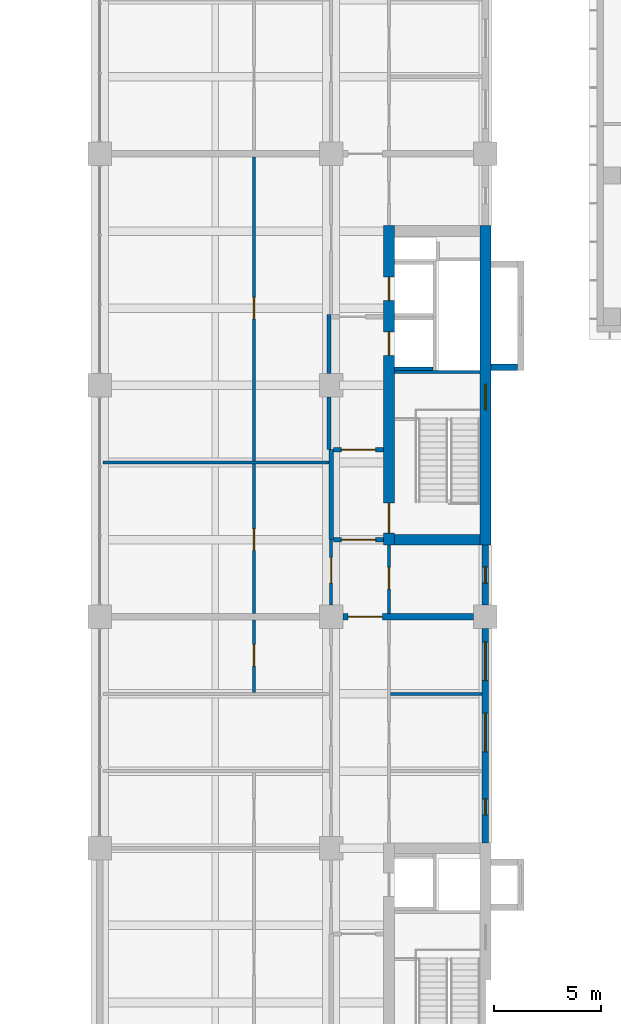
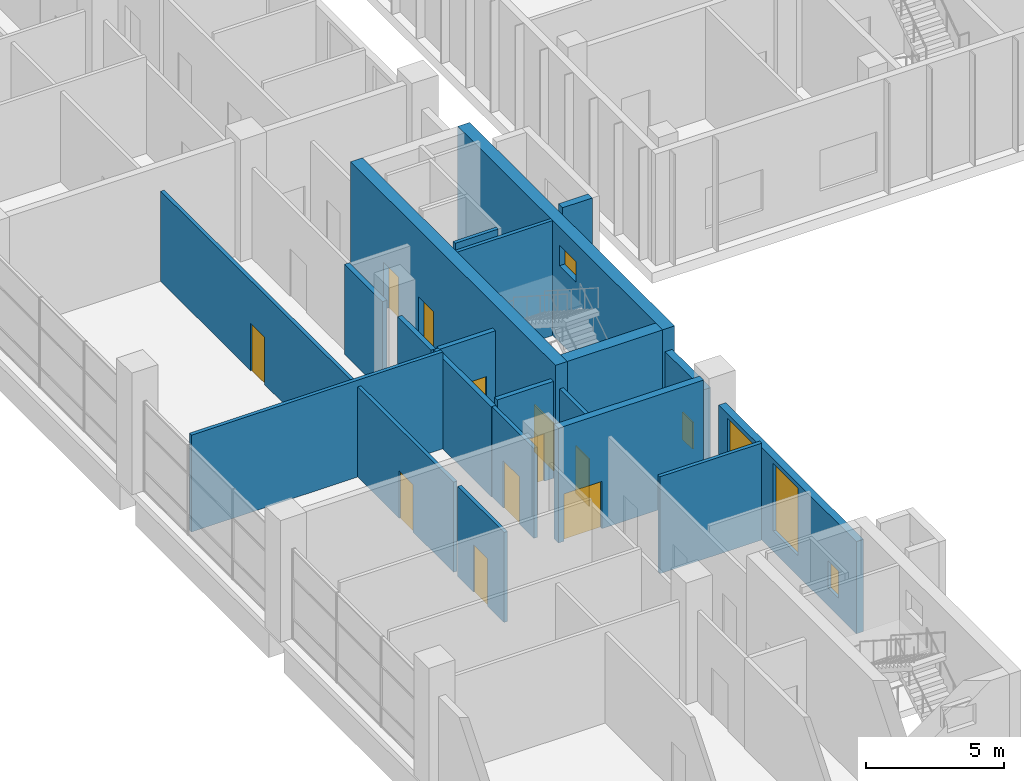
# One storey, part 21 of 32: 21 walls, 11 doors, 5 windows, 16 openings.
"""IFC4 building model written with IfcOpenShell, lengths in metres."""

from ifc_helpers import new_model, si_unit, direction, frame, frame_2d, origin, place, context, subcontext, project, spatial, rectangle, extrude, material, layer, layer_set, type_object, element, fill, save


model = new_model("IFC4")

# Units and contexts
model_context = context("Model", 3, precision=1e-05, world=origin(), true_north=direction((0.0, 1.0)))
body_context = subcontext(model_context, "Body", "Model", "MODEL_VIEW")
ifc_project = project(units=[si_unit("LENGTHUNIT", "METRE"), si_unit("AREAUNIT", "SQUARE_METRE"), si_unit("VOLUMEUNIT", "CUBIC_METRE"), si_unit("PLANEANGLEUNIT", "RADIAN"), si_unit("MASSUNIT", "GRAM", prefix="KILO")], contexts=[model_context])

# Site, building, storey
site_placement = place(None, origin())
site = spatial("IfcSite", under=ifc_project, at=site_placement, CompositionType="ELEMENT")
building_placement = place(site_placement, origin())
building = spatial("IfcBuilding", under=site, at=building_placement, Name="Basin Gate Institute", CompositionType="ELEMENT")
storey_placement = place(building_placement, frame((0.0, 0.0, 11.39990234375)))
storey = spatial("IfcBuildingStorey", under=building, at=storey_placement, Name="L02", CompositionType="ELEMENT", Elevation=11.39990234375)

# Wall, opening, door
ifc_material_1 = material(Name="Fire-rated masonry", Category="masonry")
ifc_layer_1 = layer(ifc_material_1, 0.199951171875)
ifc_layer_set_1 = layer_set([ifc_layer_1], Name="Enclosure wall PW2 200 EI 60")
wall_type_1 = type_object("IfcWallType", Name="Enclosure wall PW2 200 EI 60", PredefinedType="PARTITIONING", material=ifc_layer_set_1)
wall_1_placement = place(storey_placement, frame((114.050048828125, 60.300048828125, 0.0), z_axis=(0.0, 0.0, 1.0), x_axis=(-1.0, 0.0, 0.0)))
wall_1 = element("IfcWall", 1, at=wall_1_placement, inside=storey, type_object=wall_type_1, material=ifc_layer_set_1, Name="Smoke lobby enclosure wall PW2 L02", PredefinedType="PARTITIONING", context=body_context, shape_type="SweptSolid", body=[
    extrude(rectangle(XDim=2.35009765625, YDim=0.199951171875, at=frame_2d((1.175048828125, 0.0))), origin(), (0.0, 0.0, 1.0), 4.300048828125),
])
opening_1_placement = place(wall_1_placement, frame((0.375, 0.0, 0.0)))
opening_1 = element("IfcOpeningElement", 2, at=opening_1_placement, cuts=wall_1, Name="Opening DR119", PredefinedType="OPENING", context=body_context, shape_type="SweptSolid", body=[
    extrude(rectangle(XDim=1.60009765625, YDim=2.10009765625, at=frame_2d((0.800048828125, 1.050048828125))), frame((0.0, 0.10986328125, 0.0), z_axis=(0.0, -1.0, 0.0), x_axis=(1.0, 0.0, 0.0)), (0.0, 0.0, 1.0), 0.219970703125),
])
ifc_material_2 = material(Name="Steel fire door", Category="steel")
door_type_1 = type_object("IfcDoorType", Name="FD60 Smoke lobby door pair D8", OperationType="DOUBLE_DOOR_SINGLE_SWING", PredefinedType="DOOR", material=ifc_material_2)
door_1_placement = place(opening_1_placement, frame((1.60009765625, 0.0, 0.0), z_axis=(0.0, 0.0, 1.0), x_axis=(-1.0, 0.0, 0.0)))
door_1 = element("IfcDoor", 3, at=door_1_placement, inside=storey, type_object=door_type_1, material=ifc_material_2, Name="Smoke lobby door SS5 L02", OperationType="DOUBLE_DOOR_SINGLE_SWING", OverallHeight=2.10009765625, OverallWidth=1.60009765625, PredefinedType="DOOR", context=body_context, shape_type="SweptSolid", body=[
    extrude(rectangle(XDim=1.60009765625, YDim=2.10009765625, at=frame_2d((0.800048828125, 1.050048828125))), frame((0.0, 0.02490234375, 0.0), z_axis=(0.0, -1.0, 0.0), x_axis=(1.0, 0.0, 0.0)), (0.0, 0.0, 1.0), 0.050048828125),
])
fill(opening_1, door_1)

wall_2_placement = place(storey_placement, frame((114.050048828125, 64.5, 0.0), z_axis=(0.0, 0.0, 1.0), x_axis=(-1.0, 0.0, 0.0)))
wall_2 = element("IfcWall", 4, at=wall_2_placement, inside=storey, type_object=wall_type_1, material=ifc_layer_set_1, Name="Smoke lobby enclosure wall PW2 L02", PredefinedType="PARTITIONING", context=body_context, shape_type="SweptSolid", body=[
    extrude(rectangle(XDim=2.35009765625, YDim=0.199951171875, at=frame_2d((1.175048828125, 0.0))), origin(), (0.0, 0.0, 1.0), 4.0),
])
opening_2_placement = place(wall_2_placement, frame((0.375, 0.0, 0.0)))
opening_2 = element("IfcOpeningElement", 5, at=opening_2_placement, cuts=wall_2, Name="Opening DR120", PredefinedType="OPENING", context=body_context, shape_type="SweptSolid", body=[
    extrude(rectangle(XDim=1.60009765625, YDim=2.10009765625, at=frame_2d((0.800048828125, 1.050048828125))), frame((0.0, 0.10986328125, 0.0), z_axis=(0.0, -1.0, 0.0), x_axis=(1.0, 0.0, 0.0)), (0.0, 0.0, 1.0), 0.219970703125),
])
door_2_placement = place(opening_2_placement, origin())
door_2 = element("IfcDoor", 6, at=door_2_placement, inside=storey, type_object=door_type_1, material=ifc_material_2, Name="Smoke lobby door SS5 L02", OperationType="DOUBLE_DOOR_SINGLE_SWING", OverallHeight=2.10009765625, OverallWidth=1.60009765625, PredefinedType="DOOR", context=body_context, shape_type="SweptSolid", body=[
    extrude(rectangle(XDim=1.60009765625, YDim=2.10009765625, at=frame_2d((0.800048828125, 1.050048828125))), frame((0.0, 0.02490234375, 0.0), z_axis=(0.0, -1.0, 0.0), x_axis=(1.0, 0.0, 0.0)), (0.0, 0.0, 1.0), 0.050048828125),
])
fill(opening_2, door_2)

# Walls
wall_3_placement = place(storey_placement, frame((111.60009765625, 60.300048828125, 0.0), z_axis=(0.0, 0.0, 1.0), x_axis=(0.0, 1.0, 0.0)))
element("IfcWall", 7, at=wall_3_placement, inside=storey, type_object=wall_type_1, material=ifc_layer_set_1, Name="Smoke lobby enclosure wall PW2 L02", PredefinedType="PARTITIONING", context=body_context, shape_type="SweptSolid", body=[
    extrude(rectangle(XDim=4.199951171875, YDim=0.199951171875, at=frame_2d((2.10009765625, 0.0))), origin(), (0.0, 0.0, 1.0), 4.0),
])
wall_4_placement = place(storey_placement, frame((111.5, 64.5, 0.0), z_axis=(0.0, 0.0, 1.0), x_axis=(0.0, 1.0, 0.0)))
element("IfcWall", 8, at=wall_4_placement, inside=storey, type_object=wall_type_1, material=ifc_layer_set_1, Name="Emergency lift lobby wall PW2 L02", PredefinedType="PARTITIONING", context=body_context, shape_type="SweptSolid", body=[
    extrude(rectangle(XDim=2.449951171875, YDim=0.199951171875, at=frame_2d((1.22509765625, 0.0))), origin(), (0.0, 0.0, 1.0), 4.0),
])
wall_5_placement = place(storey_placement, frame((111.5, 68.050048828125, 0.0), z_axis=(0.0, 0.0, 1.0), x_axis=(0.0, 1.0, 0.0)))
element("IfcWall", 9, at=wall_5_placement, inside=storey, type_object=wall_type_1, material=ifc_layer_set_1, Name="Emergency lift lobby wall PW2 L02", PredefinedType="PARTITIONING", context=body_context, shape_type="SweptSolid", body=[
    extrude(rectangle(XDim=2.75, YDim=0.199951171875, at=frame_2d((1.375, 0.0))), origin(), (0.0, 0.0, 1.0), 4.0),
])

# Wall, openings, windows
ifc_material_3 = material(Name="Aluminium-faced insulated panel wall", Category="aluminium")
ifc_layer_2 = layer(ifc_material_3, 0.300048828125)
ifc_layer_set_2 = layer_set([ifc_layer_2], Name="External wall EW1 EI 120")
wall_type_2 = type_object("IfcWallType", Name="External wall EW1 EI 120", PredefinedType="STANDARD", material=ifc_layer_set_2)
wall_6_placement = place(storey_placement, frame((118.800048828125, 46.14990234375, 0.0), z_axis=(0.0, 0.0, 1.0), x_axis=(0.0, 1.0, 0.0)))
wall_6 = element("IfcWall", 10, at=wall_6_placement, inside=storey, type_object=wall_type_2, material=ifc_layer_set_2, Name="External wall E facade L02 1", PredefinedType="STANDARD", context=body_context, shape_type="SweptSolid", body=[
    extrude(rectangle(XDim=10.0, YDim=0.300048828125, at=frame_2d((5.0, 0.0))), origin(), (0.0, 0.0, 1.0), 4.10009765625),
])
opening_3_placement = place(wall_6_placement, frame((1.300048828125, 0.0, 0.800048828125)))
opening_3 = element("IfcOpeningElement", 11, at=opening_3_placement, cuts=wall_6, Name="Opening WN3", PredefinedType="OPENING", context=body_context, shape_type="SweptSolid", body=[
    extrude(rectangle(XDim=0.75, YDim=1.199951171875, at=frame_2d((0.375, 0.60009765625))), frame((0.0, 0.16015625, 0.0), z_axis=(0.0, -1.0, 0.0), x_axis=(1.0, 0.0, 0.0)), (0.0, 0.0, 1.0), 0.320068359375),
])
opening_4_placement = place(wall_6_placement, frame((4.25, 0.0, 0.89990234375)))
opening_4 = element("IfcOpeningElement", 12, at=opening_4_placement, cuts=wall_6, Name="Opening WN2", PredefinedType="OPENING", context=body_context, shape_type="SweptSolid", body=[
    extrude(rectangle(XDim=1.800048828125, YDim=3.0, at=frame_2d((0.89990234375, 1.5))), frame((0.0, 0.16015625, 0.0), z_axis=(0.0, -1.0, 0.0), x_axis=(1.0, 0.0, 0.0)), (0.0, 0.0, 1.0), 0.320068359375),
])
opening_5_placement = place(wall_6_placement, frame((7.574951171875, 0.0, 0.89990234375)))
opening_5 = element("IfcOpeningElement", 13, at=opening_5_placement, cuts=wall_6, Name="Opening WN2", PredefinedType="OPENING", context=body_context, shape_type="SweptSolid", body=[
    extrude(rectangle(XDim=1.800048828125, YDim=3.0, at=frame_2d((0.89990234375, 1.5))), frame((0.0, 0.16015625, 0.0), z_axis=(0.0, -1.0, 0.0), x_axis=(1.0, 0.0, 0.0)), (0.0, 0.0, 1.0), 0.320068359375),
])
ifc_material_4 = material(Name="Aluminium-framed double glazing", Category="aluminium")
window_type_1 = type_object("IfcWindowType", Name="Emergency entry panel WN3", PartitioningType="SINGLE_PANEL", PredefinedType="WINDOW", material=ifc_material_4)
window_1_placement = place(opening_3_placement, origin())
window_1 = element("IfcWindow", 14, at=window_1_placement, inside=storey, type_object=window_type_1, material=ifc_material_4, Name="Emergency entry panel E facade L02 bay 4", OverallHeight=1.199951171875, OverallWidth=0.75, PartitioningType="SINGLE_PANEL", PredefinedType="WINDOW", context=body_context, shape_type="SweptSolid", body=[
    extrude(rectangle(XDim=0.75, YDim=1.199951171875, at=frame_2d((0.375, 0.60009765625))), frame((0.0, 0.030029296875, 0.0), z_axis=(0.0, -1.0, 0.0), x_axis=(1.0, 0.0, 0.0)), (0.0, 0.0, 1.0), 0.06005859375),
])
fill(opening_3, window_1)
ifc_material_5 = material(Name="Aluminium-framed double glazing", Category="aluminium")
window_type_2 = type_object("IfcWindowType", Name="Podium window WN2", PartitioningType="SINGLE_PANEL", PredefinedType="WINDOW", material=ifc_material_5)
window_2_placement = place(opening_4_placement, origin())
window_2 = element("IfcWindow", 15, at=window_2_placement, inside=storey, type_object=window_type_2, material=ifc_material_5, Name="Podium window E facade L02 bay 5", OverallHeight=3.0, OverallWidth=1.800048828125, PartitioningType="SINGLE_PANEL", PredefinedType="WINDOW", context=body_context, shape_type="SweptSolid", body=[
    extrude(rectangle(XDim=1.800048828125, YDim=3.0, at=frame_2d((0.89990234375, 1.5))), frame((0.0, 0.030029296875, 0.0), z_axis=(0.0, -1.0, 0.0), x_axis=(1.0, 0.0, 0.0)), (0.0, 0.0, 1.0), 0.06005859375),
])
fill(opening_4, window_2)
window_3_placement = place(opening_5_placement, origin())
window_3 = element("IfcWindow", 16, at=window_3_placement, inside=storey, type_object=window_type_2, material=ifc_material_5, Name="Podium window E facade L02 bay 6", OverallHeight=3.0, OverallWidth=1.800048828125, PartitioningType="SINGLE_PANEL", PredefinedType="WINDOW", context=body_context, shape_type="SweptSolid", body=[
    extrude(rectangle(XDim=1.800048828125, YDim=3.0, at=frame_2d((0.89990234375, 1.5))), frame((0.0, 0.030029296875, 0.0), z_axis=(0.0, -1.0, 0.0), x_axis=(1.0, 0.0, 0.0)), (0.0, 0.0, 1.0), 0.06005859375),
])
fill(opening_5, window_3)

# Wall, opening, window
wall_7_placement = place(storey_placement, frame((118.800048828125, 57.25, 0.0), z_axis=(0.0, 0.0, 1.0), x_axis=(0.0, 1.0, 0.0)))
wall_7 = element("IfcWall", 17, at=wall_7_placement, inside=storey, type_object=wall_type_2, material=ifc_layer_set_2, Name="External wall E facade L02 2", PredefinedType="STANDARD", context=body_context, shape_type="SweptSolid", body=[
    extrude(rectangle(XDim=2.800048828125, YDim=0.300048828125, at=frame_2d((1.39990234375, 0.0))), origin(), (0.0, 0.0, 1.0), 4.10009765625),
])
opening_6_placement = place(wall_7_placement, frame((1.02490234375, 0.0, 0.800048828125)))
opening_6 = element("IfcOpeningElement", 18, at=opening_6_placement, cuts=wall_7, Name="Opening WN3", PredefinedType="OPENING", context=body_context, shape_type="SweptSolid", body=[
    extrude(rectangle(XDim=0.75, YDim=1.199951171875, at=frame_2d((0.375, 0.60009765625))), frame((0.0, 0.16015625, 0.0), z_axis=(0.0, -1.0, 0.0), x_axis=(1.0, 0.0, 0.0)), (0.0, 0.0, 1.0), 0.320068359375),
])
window_4_placement = place(opening_6_placement, origin())
window_4 = element("IfcWindow", 19, at=window_4_placement, inside=storey, type_object=window_type_1, material=ifc_material_4, Name="Emergency entry panel E facade L02 bay 7", OverallHeight=1.199951171875, OverallWidth=0.75, PartitioningType="SINGLE_PANEL", PredefinedType="WINDOW", context=body_context, shape_type="SweptSolid", body=[
    extrude(rectangle(XDim=0.75, YDim=1.199951171875, at=frame_2d((0.375, 0.60009765625))), frame((0.0, 0.030029296875, 0.0), z_axis=(0.0, -1.0, 0.0), x_axis=(1.0, 0.0, 0.0)), (0.0, 0.0, 1.0), 0.06005859375),
])
fill(opening_6, window_4)

# Wall, opening, door
ifc_material_6 = material(Name="Gypsum board on steel stud", Category="steel")
ifc_layer_3 = layer(ifc_material_6, 0.14990234375)
ifc_layer_set_3 = layer_set([ifc_layer_3], Name="Gypsum board on steel stud")
wall_type_3 = type_object("IfcWallType", Name="Partition PW1 150 EI 60", PredefinedType="PARTITIONING", material=ifc_layer_set_3)
wall_8_placement = place(storey_placement, frame((114.300048828125, 56.85009765625, 0.0), z_axis=(0.0, 0.0, 1.0), x_axis=(0.0, 1.0, 0.0)))
wall_8 = element("IfcWall", 20, at=wall_8_placement, inside=storey, type_object=wall_type_3, material=ifc_layer_set_3, Name="Corridor wall PW1 L02", PredefinedType="PARTITIONING", context=body_context, shape_type="SweptSolid", body=[
    extrude(rectangle(XDim=3.199951171875, YDim=0.14990234375, at=frame_2d((1.60009765625, 0.0))), origin(), (0.0, 0.0, 1.0), 4.0),
])
opening_7_placement = place(wall_8_placement, frame((1.14990234375, 0.0, 0.0)))
opening_7 = element("IfcOpeningElement", 21, at=opening_7_placement, cuts=wall_8, Name="Opening DR114", PredefinedType="OPENING", context=body_context, shape_type="SweptSolid", body=[
    extrude(rectangle(XDim=1.0, YDim=2.10009765625, at=frame_2d((0.5, 1.050048828125))), frame((0.0, 0.0849609375, 0.0), z_axis=(0.0, -1.0, 0.0), x_axis=(1.0, 0.0, 0.0)), (0.0, 0.0, 1.0), 0.169921875),
])
ifc_material_7 = material(Name="Timber fire door", Category="wood")
door_type_2 = type_object("IfcDoorType", Name="FD30 Office door D1", OperationType="NOTDEFINED", PredefinedType="DOOR", material=ifc_material_7)
door_3_placement = place(opening_7_placement, frame((1.0, 0.0, 0.0), z_axis=(0.0, 0.0, 1.0), x_axis=(-1.0, 0.0, 0.0)))
door_3 = element("IfcDoor", 22, at=door_3_placement, inside=storey, type_object=door_type_2, material=ifc_material_7, Name="Door to Write-up Office 0254 L02", OperationType="SINGLE_SWING_LEFT", OverallHeight=2.10009765625, OverallWidth=1.0, PredefinedType="DOOR", context=body_context, shape_type="SweptSolid", body=[
    extrude(rectangle(XDim=1.0, YDim=2.10009765625, at=frame_2d((0.5, 1.050048828125))), frame((0.0, 0.02490234375, 0.0), z_axis=(0.0, -1.0, 0.0), x_axis=(1.0, 0.0, 0.0)), (0.0, 0.0, 1.0), 0.050048828125),
])
fill(opening_7, door_3)

wall_9_placement = place(storey_placement, frame((111.60009765625, 57.25, 0.0), z_axis=(0.0, 0.0, 1.0), x_axis=(0.0, 1.0, 0.0)))
wall_9 = element("IfcWall", 23, at=wall_9_placement, inside=storey, type_object=wall_type_3, material=ifc_layer_set_3, Name="Laboratory corridor wall PW1 L02", PredefinedType="PARTITIONING", context=body_context, shape_type="SweptSolid", body=[
    extrude(rectangle(XDim=3.050048828125, YDim=0.14990234375, at=frame_2d((1.52490234375, 0.0))), origin(), (0.0, 0.0, 1.0), 4.0),
])
opening_8_placement = place(wall_9_placement, frame((1.02490234375, 0.0, 0.0)))
opening_8 = element("IfcOpeningElement", 24, at=opening_8_placement, cuts=wall_9, Name="Opening DR104", PredefinedType="OPENING", context=body_context, shape_type="SweptSolid", body=[
    extrude(rectangle(XDim=1.199951171875, YDim=2.10009765625, at=frame_2d((0.60009765625, 1.050048828125))), frame((0.0, 0.0849609375, 0.0), z_axis=(0.0, -1.0, 0.0), x_axis=(1.0, 0.0, 0.0)), (0.0, 0.0, 1.0), 0.169921875),
])
ifc_material_8 = material(Name="Timber fire door", Category="wood")
door_type_3 = type_object("IfcDoorType", Name="FD30 Laboratory door D2", OperationType="DOUBLE_DOOR_SINGLE_SWING", PredefinedType="DOOR", material=ifc_material_8)
door_4_placement = place(opening_8_placement, origin())
door_4 = element("IfcDoor", 25, at=door_4_placement, inside=storey, type_object=door_type_3, material=ifc_material_8, Name="Door to Gowning Airlock 0274 L02", OperationType="DOUBLE_DOOR_SINGLE_SWING", OverallHeight=2.10009765625, OverallWidth=1.199951171875, PredefinedType="DOOR", context=body_context, shape_type="SweptSolid", body=[
    extrude(rectangle(XDim=1.199951171875, YDim=2.10009765625, at=frame_2d((0.60009765625, 1.050048828125))), frame((0.0, 0.02490234375, 0.0), z_axis=(0.0, -1.0, 0.0), x_axis=(1.0, 0.0, 0.0)), (0.0, 0.0, 1.0), 0.050048828125),
])
fill(opening_8, door_4)

wall_10_placement = place(storey_placement, frame((108.0, 53.175048828125, 0.0), z_axis=(0.0, 0.0, 1.0), x_axis=(0.0, 1.0, 0.0)))
wall_10 = element("IfcWall", 26, at=wall_10_placement, inside=storey, type_object=wall_type_3, material=ifc_layer_set_3, Name="Clean room wall PW1 L02", PredefinedType="PARTITIONING", context=body_context, shape_type="SweptSolid", body=[
    extrude(rectangle(XDim=3.375, YDim=0.14990234375, at=frame_2d((1.6875, 0.0))), origin(), (0.0, 0.0, 1.0), 4.0),
])
opening_9_placement = place(wall_10_placement, frame((1.22509765625, 0.0, 0.0)))
opening_9 = element("IfcOpeningElement", 27, at=opening_9_placement, cuts=wall_10, Name="Opening DR093", PredefinedType="OPENING", context=body_context, shape_type="SweptSolid", body=[
    extrude(rectangle(XDim=1.0, YDim=2.10009765625, at=frame_2d((0.5, 1.050048828125))), frame((0.0, 0.0849609375, 0.0), z_axis=(0.0, -1.0, 0.0), x_axis=(1.0, 0.0, 0.0)), (0.0, 0.0, 1.0), 0.169921875),
])
ifc_material_9 = material(Name="Steel fire door", Category="steel")
door_type_4 = type_object("IfcDoorType", Name="FD30 Airlock door D5", OperationType="NOTDEFINED", PredefinedType="DOOR", material=ifc_material_9)
door_5_placement = place(opening_9_placement, origin())
door_5 = element("IfcDoor", 28, at=door_5_placement, inside=storey, type_object=door_type_4, material=ifc_material_9, Name="Clean room entry door Clean Room ISO 6 0272 L02", OperationType="SINGLE_SWING_RIGHT", OverallHeight=2.10009765625, OverallWidth=1.0, PredefinedType="DOOR", context=body_context, shape_type="SweptSolid", body=[
    extrude(rectangle(XDim=1.0, YDim=2.10009765625, at=frame_2d((0.5, 1.050048828125))), frame((0.0, 0.02490234375, 0.0), z_axis=(0.0, -1.0, 0.0), x_axis=(1.0, 0.0, 0.0)), (0.0, 0.0, 1.0), 0.050048828125),
])
fill(opening_9, door_5)

wall_11_placement = place(storey_placement, frame((108.0, 56.85009765625, 0.0), z_axis=(0.0, 0.0, 1.0), x_axis=(0.0, 1.0, 0.0)))
wall_11 = element("IfcWall", 29, at=wall_11_placement, inside=storey, type_object=wall_type_3, material=ifc_layer_set_3, Name="Clean room wall PW1 L02", PredefinedType="PARTITIONING", context=body_context, shape_type="SweptSolid", body=[
    extrude(rectangle(XDim=6.974853515625, YDim=0.14990234375, at=frame_2d((3.4873046875, 0.0))), origin(), (0.0, 0.0, 1.0), 4.0),
])
opening_10_placement = place(wall_11_placement, frame((2.949951171875, 0.0, 0.0)))
opening_10 = element("IfcOpeningElement", 30, at=opening_10_placement, cuts=wall_11, Name="Opening DR096", PredefinedType="OPENING", context=body_context, shape_type="SweptSolid", body=[
    extrude(rectangle(XDim=1.0, YDim=2.10009765625, at=frame_2d((0.5, 1.050048828125))), frame((0.0, 0.0849609375, 0.0), z_axis=(0.0, -1.0, 0.0), x_axis=(1.0, 0.0, 0.0)), (0.0, 0.0, 1.0), 0.169921875),
])
door_6_placement = place(opening_10_placement, origin())
door_6 = element("IfcDoor", 31, at=door_6_placement, inside=storey, type_object=door_type_4, material=ifc_material_9, Name="Clean room entry door Clean Room ISO 7 0274 L02", OperationType="SINGLE_SWING_LEFT", OverallHeight=2.10009765625, OverallWidth=1.0, PredefinedType="DOOR", context=body_context, shape_type="SweptSolid", body=[
    extrude(rectangle(XDim=1.0, YDim=2.10009765625, at=frame_2d((0.5, 1.050048828125))), frame((0.0, 0.02490234375, 0.0), z_axis=(0.0, -1.0, 0.0), x_axis=(1.0, 0.0, 0.0)), (0.0, 0.0, 1.0), 0.050048828125),
])
fill(opening_10, door_6)

wall_12_placement = place(storey_placement, frame((108.0, 63.97509765625, 0.0), z_axis=(0.0, 0.0, 1.0), x_axis=(0.0, 1.0, 0.0)))
wall_12 = element("IfcWall", 32, at=wall_12_placement, inside=storey, type_object=wall_type_3, material=ifc_layer_set_3, Name="Clean room wall PW1 L02", PredefinedType="PARTITIONING", context=body_context, shape_type="SweptSolid", body=[
    extrude(rectangle(XDim=14.1748046875, YDim=0.14990234375, at=frame_2d((7.08740234375, 0.0))), origin(), (0.0, 0.0, 1.0), 4.0),
])
opening_11_placement = place(wall_12_placement, frame((6.625, 0.0, 0.0)))
opening_11 = element("IfcOpeningElement", 33, at=opening_11_placement, cuts=wall_12, Name="Opening DR097", PredefinedType="OPENING", context=body_context, shape_type="SweptSolid", body=[
    extrude(rectangle(XDim=1.0, YDim=2.10009765625, at=frame_2d((0.5, 1.050048828125))), frame((0.0, 0.0849609375, 0.0), z_axis=(0.0, -1.0, 0.0), x_axis=(1.0, 0.0, 0.0)), (0.0, 0.0, 1.0), 0.169921875),
])
door_7_placement = place(opening_11_placement, origin())
door_7 = element("IfcDoor", 34, at=door_7_placement, inside=storey, type_object=door_type_4, material=ifc_material_9, Name="Clean room entry door Clean Room ISO 7 0276 L02", OperationType="SINGLE_SWING_LEFT", OverallHeight=2.10009765625, OverallWidth=1.0, PredefinedType="DOOR", context=body_context, shape_type="SweptSolid", body=[
    extrude(rectangle(XDim=1.0, YDim=2.10009765625, at=frame_2d((0.5, 1.050048828125))), frame((0.0, 0.02490234375, 0.0), z_axis=(0.0, -1.0, 0.0), x_axis=(1.0, 0.0, 0.0)), (0.0, 0.0, 1.0), 0.050048828125),
])
fill(opening_11, door_7)

# Walls
wall_13_placement = place(storey_placement, frame((111.5, 63.89990234375, 0.0), z_axis=(0.0, 0.0, 1.0), x_axis=(-1.0, 0.0, 0.0)))
element("IfcWall", 35, at=wall_13_placement, inside=storey, type_object=wall_type_3, material=ifc_layer_set_3, Name="Clean room wall PW1 L02", PredefinedType="PARTITIONING", context=body_context, shape_type="SweptSolid", body=[
    extrude(rectangle(XDim=10.550048828125, YDim=0.14990234375, at=frame_2d((5.27490234375, 0.0))), origin(), (0.0, 0.0, 1.0), 4.300048828125),
])
ifc_material_10 = material(Name="Gypsum board on steel stud", Category="steel")
ifc_layer_4 = layer(ifc_material_10, 0.14990234375)
ifc_layer_set_4 = layer_set([ifc_layer_4], Name="Gypsum board on steel stud")
wall_type_4 = type_object("IfcWallType", Name="Partition PW4 150", PredefinedType="PARTITIONING", material=ifc_layer_set_4)
wall_14_placement = place(storey_placement, frame((118.64990234375, 53.10009765625, 0.0), z_axis=(0.0, 0.0, 1.0), x_axis=(-1.0, 0.0, 0.0)))
element("IfcWall", 36, at=wall_14_placement, inside=storey, type_object=wall_type_4, material=ifc_layer_set_4, Name="Toilet partition PW4 L02", PredefinedType="PARTITIONING", context=body_context, shape_type="SweptSolid", body=[
    extrude(rectangle(XDim=4.27490234375, YDim=0.14990234375, at=frame_2d((2.137451171875, 0.0))), origin(), (0.0, 0.0, 1.0), 4.300048828125),
])
ifc_material_11 = material(Name="Concrete 40 MPa", Category="concrete")
ifc_layer_5 = layer(ifc_material_11, 0.14990234375)
ifc_layer_set_5 = layer_set([ifc_layer_5], Name="Concrete 40 MPa")
wall_type_5 = type_object("IfcWallType", Name="Wall LS1 lift shaft enclosure R180", PredefinedType="SOLIDWALL", material=ifc_layer_set_5)
wall_15_placement = place(storey_placement, frame((116.35009765625, 68.27490234375, 0.0), z_axis=(0.0, 0.0, 1.0), x_axis=(-1.0, 0.0, 0.0)))
element("IfcWall", 37, at=wall_15_placement, inside=storey, type_object=wall_type_5, material=ifc_layer_set_5, Name="Lift shaft enclosure LF2 L02 RL", PredefinedType="SOLIDWALL", context=body_context, shape_type="SweptSolid", body=[
    extrude(rectangle(XDim=1.800048828125, YDim=0.14990234375, at=frame_2d((0.89990234375, 0.0))), origin(), (0.0, 0.0, 1.0), 5.400146484375),
])
ifc_material_12 = material(Name="Concrete 40 MPa", Category="concrete")
ifc_layer_6 = layer(ifc_material_12, 0.14990234375)
ifc_layer_set_6 = layer_set([ifc_layer_6], Name="Concrete 40 MPa")
wall_type_6 = type_object("IfcWallType", Name="Wall SE1 stair enclosure R180", PredefinedType="SOLIDWALL", material=ifc_layer_set_6)
wall_16_placement = place(storey_placement, frame((118.550048828125, 68.125, 0.0), z_axis=(0.0, 0.0, 1.0), x_axis=(-1.0, 0.0, 0.0)))
element("IfcWall", 38, at=wall_16_placement, inside=storey, type_object=wall_type_6, material=ifc_layer_set_6, Name="Stair enclosure wall ST-EM L02", PredefinedType="SOLIDWALL", context=body_context, shape_type="SweptSolid", body=[
    extrude(rectangle(XDim=4.0, YDim=0.14990234375, at=frame_2d((2.0, 0.0))), origin(), (0.0, 0.0, 1.0), 5.10009765625),
])
ifc_material_13 = material(Name="Concrete 50 MPa", Category="concrete")
ifc_layer_7 = layer(ifc_material_13, 0.300048828125)
ifc_layer_set_7 = layer_set([ifc_layer_7], Name="Concrete 50 MPa")
wall_type_7 = type_object("IfcWallType", Name="Wall SK1 R180", PredefinedType="SHEAR", material=ifc_layer_set_7)
wall_17_placement = place(storey_placement, frame((119.050048828125, 68.35009765625, 0.0), z_axis=(0.0, 0.0, 1.0), x_axis=(1.0, 0.0, 0.0)))
element("IfcWall", 39, at=wall_17_placement, inside=storey, type_object=wall_type_7, material=ifc_layer_set_7, Name="Spine riser stack wall SK1 EM A L02", PredefinedType="SHEAR", context=body_context, shape_type="SweptSolid", body=[
    extrude(rectangle(XDim=1.25, YDim=0.300048828125, at=frame_2d((0.625, 0.0))), origin(), (0.0, 0.0, 1.0), 5.400146484375),
])

# Wall, opening, window
ifc_material_14 = material(Name="Concrete 60 MPa", Category="concrete")
ifc_layer_8 = layer(ifc_material_14, 0.5)
ifc_layer_set_8 = layer_set([ifc_layer_8], Name="Concrete 60 MPa")
wall_type_8 = type_object("IfcWallType", Name="Wall SW1 R180", PredefinedType="SHEAR", material=ifc_layer_set_8)
wall_18_placement = place(storey_placement, frame((118.800048828125, 60.050048828125, 0.0), z_axis=(0.0, 0.0, 1.0), x_axis=(0.0, 1.0, 0.0)))
wall_18 = element("IfcWall", 40, at=wall_18_placement, inside=storey, type_object=wall_type_8, material=ifc_layer_set_8, Name="WALL/L02/EM/L", PredefinedType="SHEAR", context=body_context, shape_type="SweptSolid", body=[
    extrude(rectangle(XDim=14.89990234375, YDim=0.5, at=frame_2d((7.449951171875, 0.0))), origin(), (0.0, 0.0, 1.0), 5.10009765625),
])
opening_12_placement = place(wall_18_placement, frame((6.300048828125, 0.0, 3.39990234375)))
opening_12 = element("IfcOpeningElement", 41, at=opening_12_placement, cuts=wall_18, Name="Opening WT1", PredefinedType="OPENING", context=body_context, shape_type="SweptSolid", body=[
    extrude(rectangle(XDim=1.199951171875, YDim=0.89990234375, at=frame_2d((0.60009765625, 0.449951171875))), frame((0.0, 0.260009765625, 0.0), z_axis=(0.0, -1.0, 0.0), x_axis=(1.0, 0.0, 0.0)), (0.0, 0.0, 1.0), 0.52001953125),
])
ifc_material_15 = material(Name="Fire-resistant glazing in steel-free frame", Category="steel")
window_type_3 = type_object("IfcWindowType", Name="Rated stair window EI 180 WT1", PartitioningType="SINGLE_PANEL", PredefinedType="WINDOW", material=ifc_material_15)
window_5_placement = place(opening_12_placement, origin())
window_5 = element("IfcWindow", 42, at=window_5_placement, inside=storey, type_object=window_type_3, material=ifc_material_15, Name="Rated stair window EI 180 EM landing L02", OverallHeight=0.89990234375, OverallWidth=1.199951171875, PartitioningType="SINGLE_PANEL", PredefinedType="WINDOW", context=body_context, shape_type="SweptSolid", body=[
    extrude(rectangle(XDim=1.199951171875, YDim=0.89990234375, at=frame_2d((0.60009765625, 0.449951171875))), frame((0.0, 0.030029296875, 0.0), z_axis=(0.0, -1.0, 0.0), x_axis=(1.0, 0.0, 0.0)), (0.0, 0.0, 1.0), 0.06005859375),
])
fill(opening_12, window_5)

# Wall, openings, doors
wall_19_placement = place(storey_placement, frame((114.300048828125, 60.050048828125, 0.0), z_axis=(0.0, 0.0, 1.0), x_axis=(0.0, 1.0, 0.0)))
wall_19 = element("IfcWall", 43, at=wall_19_placement, inside=storey, type_object=wall_type_8, material=ifc_layer_set_8, Name="WALL/L02/EM/C", PredefinedType="SHEAR", context=body_context, shape_type="SweptSolid", body=[
    extrude(rectangle(XDim=14.89990234375, YDim=0.5, at=frame_2d((7.449951171875, 0.0))), origin(), (0.0, 0.0, 1.0), 5.10009765625),
])
opening_13_placement = place(wall_19_placement, frame((0.550048828125, 0.0, 0.0)))
opening_13 = element("IfcOpeningElement", 44, at=opening_13_placement, cuts=wall_19, Name="Opening DS017", PredefinedType="OPENING", context=body_context, shape_type="SweptSolid", body=[
    extrude(rectangle(XDim=1.39990234375, YDim=2.10009765625, at=frame_2d((0.699951171875, 1.050048828125))), frame((0.0, 0.260009765625, 0.0), z_axis=(0.0, -1.0, 0.0), x_axis=(1.0, 0.0, 0.0)), (0.0, 0.0, 1.0), 0.52001953125),
])
opening_14_placement = place(wall_19_placement, frame((8.85009765625, 0.0, 0.0)))
opening_14 = element("IfcOpeningElement", 45, at=opening_14_placement, cuts=wall_19, Name="Opening LD085", PredefinedType="OPENING", context=body_context, shape_type="SweptSolid", body=[
    extrude(rectangle(XDim=1.10009765625, YDim=2.10009765625, at=frame_2d((0.550048828125, 1.050048828125))), frame((0.0, 0.260009765625, 0.0), z_axis=(0.0, -1.0, 0.0), x_axis=(1.0, 0.0, 0.0)), (0.0, 0.0, 1.0), 0.52001953125),
])
opening_15_placement = place(wall_19_placement, frame((11.39990234375, 0.0, 0.0)))
opening_15 = element("IfcOpeningElement", 46, at=opening_15_placement, cuts=wall_19, Name="Opening LD097", PredefinedType="OPENING", context=body_context, shape_type="SweptSolid", body=[
    extrude(rectangle(XDim=1.10009765625, YDim=2.10009765625, at=frame_2d((0.550048828125, 1.050048828125))), frame((0.0, 0.260009765625, 0.0), z_axis=(0.0, -1.0, 0.0), x_axis=(1.0, 0.0, 0.0)), (0.0, 0.0, 1.0), 0.52001953125),
])
ifc_material_16 = material(Name="Steel fire door", Category="steel")
door_type_5 = type_object("IfcDoorType", Name="FD30 Stair enclosure door DS", OperationType="DOUBLE_DOOR_SINGLE_SWING", PredefinedType="DOOR", material=ifc_material_16)
door_8_placement = place(opening_13_placement, frame((1.39990234375, 0.0, 0.0), z_axis=(0.0, 0.0, 1.0), x_axis=(-1.0, 0.0, 0.0)))
door_8 = element("IfcDoor", 47, at=door_8_placement, inside=storey, type_object=door_type_5, material=ifc_material_16, Name="Stair enclosure door ST-EM L02", OperationType="DOUBLE_DOOR_SINGLE_SWING", OverallHeight=2.10009765625, OverallWidth=1.39990234375, PredefinedType="DOOR", context=body_context, shape_type="SweptSolid", body=[
    extrude(rectangle(XDim=1.39990234375, YDim=2.10009765625, at=frame_2d((0.699951171875, 1.050048828125))), frame((0.0, 0.02490234375, 0.0), z_axis=(0.0, -1.0, 0.0), x_axis=(1.0, 0.0, 0.0)), (0.0, 0.0, 1.0), 0.050048828125),
])
fill(opening_13, door_8)
ifc_material_17 = material(Name="Stainless steel", Category="steel")
door_type_6 = type_object("IfcDoorType", Name="FD60 Lift landing door LD", OperationType="SLIDING_TO_LEFT", PredefinedType="DOOR", material=ifc_material_17)
door_9_placement = place(opening_14_placement, origin())
door_9 = element("IfcDoor", 48, at=door_9_placement, inside=storey, type_object=door_type_6, material=ifc_material_17, Name="Lift landing door LF2 L02", OperationType="SLIDING_TO_LEFT", OverallHeight=2.10009765625, OverallWidth=1.10009765625, PredefinedType="DOOR", context=body_context, shape_type="SweptSolid", body=[
    extrude(rectangle(XDim=1.10009765625, YDim=2.10009765625, at=frame_2d((0.550048828125, 1.050048828125))), frame((0.0, 0.02490234375, 0.0), z_axis=(0.0, -1.0, 0.0), x_axis=(1.0, 0.0, 0.0)), (0.0, 0.0, 1.0), 0.050048828125),
])
fill(opening_14, door_9)
door_10_placement = place(opening_15_placement, origin())
door_10 = element("IfcDoor", 49, at=door_10_placement, inside=storey, type_object=door_type_6, material=ifc_material_17, Name="Lift landing door LP5 L02", OperationType="SLIDING_TO_LEFT", OverallHeight=2.10009765625, OverallWidth=1.10009765625, PredefinedType="DOOR", context=body_context, shape_type="SweptSolid", body=[
    extrude(rectangle(XDim=1.10009765625, YDim=2.10009765625, at=frame_2d((0.550048828125, 1.050048828125))), frame((0.0, 0.02490234375, 0.0), z_axis=(0.0, -1.0, 0.0), x_axis=(1.0, 0.0, 0.0)), (0.0, 0.0, 1.0), 0.050048828125),
])
fill(opening_15, door_10)

# Wall
wall_20_placement = place(storey_placement, frame((118.550048828125, 60.300048828125, 0.0), z_axis=(0.0, 0.0, 1.0), x_axis=(-1.0, 0.0, 0.0)))
element("IfcWall", 50, at=wall_20_placement, inside=storey, type_object=wall_type_8, material=ifc_layer_set_8, Name="WALL/L02/EM/S", PredefinedType="SHEAR", context=body_context, shape_type="SweptSolid", body=[
    extrude(rectangle(XDim=4.0, YDim=0.5, at=frame_2d((2.0, 0.0))), origin(), (0.0, 0.0, 1.0), 5.10009765625),
])

# Wall, opening, door
ifc_material_18 = material(Name="Concrete 50 MPa", Category="concrete")
ifc_layer_9 = layer(ifc_material_18, 0.300048828125)
ifc_layer_set_9 = layer_set([ifc_layer_9], Name="Concrete 50 MPa")
wall_type_9 = type_object("IfcWallType", Name="Wall XW1 R180", PredefinedType="SHEAR", material=ifc_layer_set_9)
wall_21_placement = place(storey_placement, frame((118.25, 56.699951171875, 0.0), z_axis=(0.0, 0.0, 1.0), x_axis=(-1.0, 0.0, 0.0)))
wall_21 = element("IfcWall", 51, at=wall_21_placement, inside=storey, type_object=wall_type_9, material=ifc_layer_set_9, Name="WALL/L02/EXC/1", PredefinedType="SHEAR", context=body_context, shape_type="SweptSolid", body=[
    extrude(rectangle(XDim=6.10009765625, YDim=0.300048828125, at=frame_2d((3.050048828125, 0.0))), origin(), (0.0, 0.0, 1.0), 5.10009765625),
])
opening_16_placement = place(wall_21_placement, frame((4.262451171875, 0.0, 0.0)))
opening_16 = element("IfcOpeningElement", 52, at=opening_16_placement, cuts=wall_21, Name="Opening DR122", PredefinedType="OPENING", context=body_context, shape_type="SweptSolid", body=[
    extrude(rectangle(XDim=1.60009765625, YDim=2.10009765625, at=frame_2d((0.800048828125, 1.050048828125))), frame((0.0, 0.16015625, 0.0), z_axis=(0.0, -1.0, 0.0), x_axis=(1.0, 0.0, 0.0)), (0.0, 0.0, 1.0), 0.320068359375),
])
ifc_material_19 = material(Name="Steel fire door", Category="steel")
door_type_7 = type_object("IfcDoorType", Name="FD60 Compartment door pair D7", OperationType="DOUBLE_DOOR_SINGLE_SWING", PredefinedType="DOOR", material=ifc_material_19)
door_11_placement = place(opening_16_placement, frame((1.60009765625, 0.0, 0.0), z_axis=(0.0, 0.0, 1.0), x_axis=(-1.0, 0.0, 0.0)))
door_11 = element("IfcDoor", 53, at=door_11_placement, inside=storey, type_object=door_type_7, material=ifc_material_19, Name="Compartment door pair L02 E1 L02", OperationType="DOUBLE_DOOR_SINGLE_SWING", OverallHeight=2.10009765625, OverallWidth=1.60009765625, PredefinedType="DOOR", context=body_context, shape_type="SweptSolid", body=[
    extrude(rectangle(XDim=1.60009765625, YDim=2.10009765625, at=frame_2d((0.800048828125, 1.050048828125))), frame((0.0, 0.02490234375, 0.0), z_axis=(0.0, -1.0, 0.0), x_axis=(1.0, 0.0, 0.0)), (0.0, 0.0, 1.0), 0.050048828125),
])
fill(opening_16, door_11)

save(model, "model.ifc")
